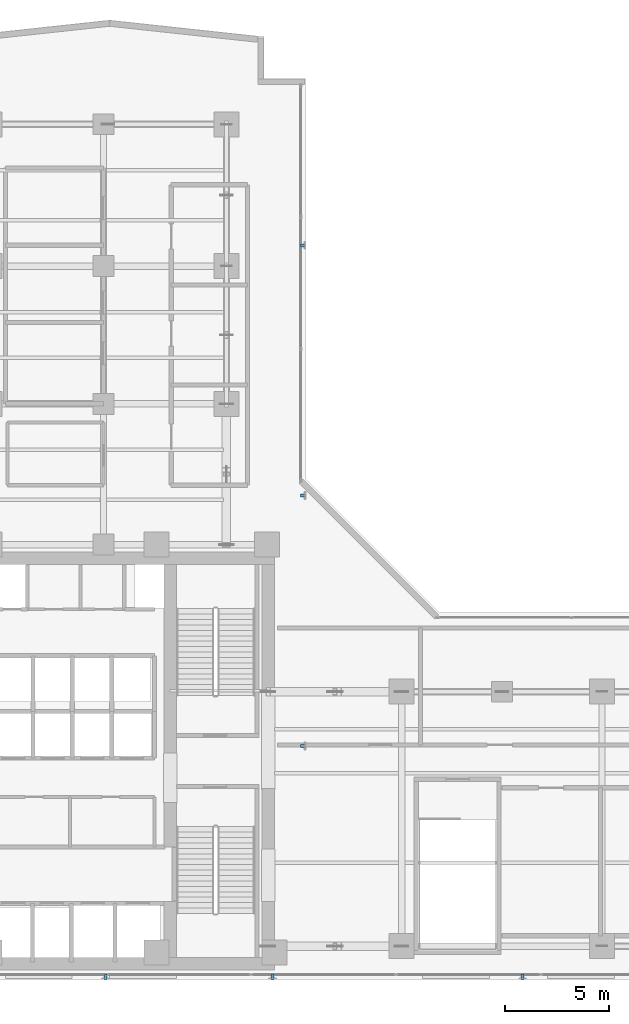
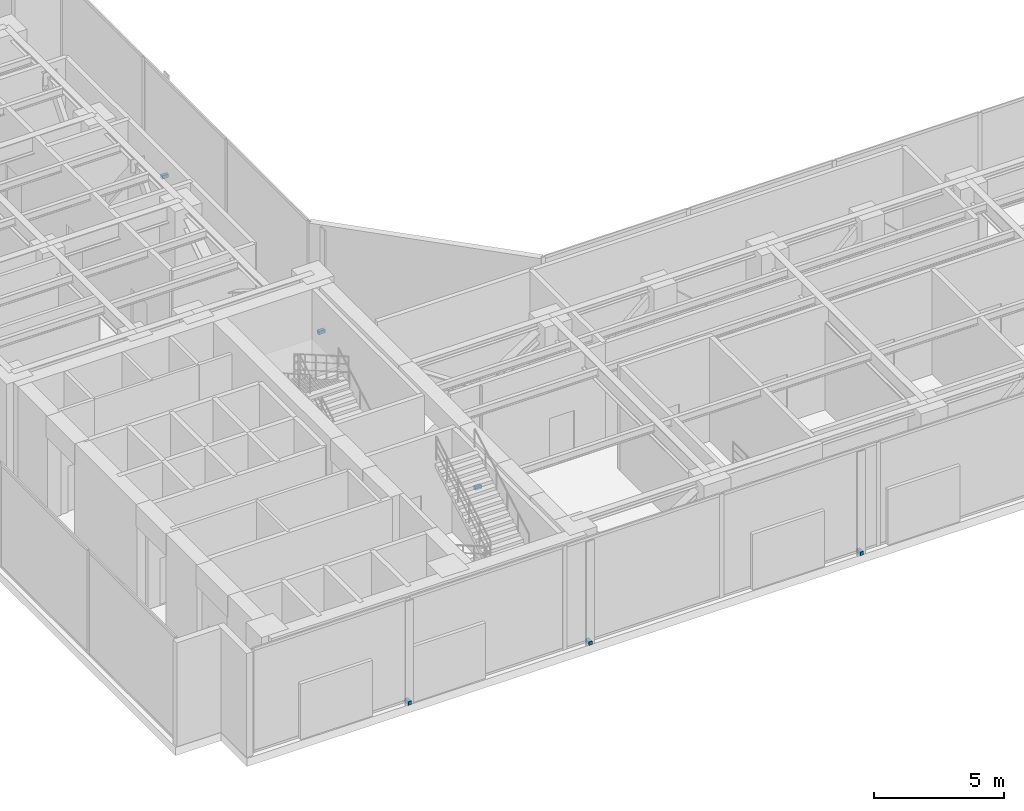
# One storey, part 33 of 36: 6 discrete accessories.
"""IFC4 building model written with IfcOpenShell, lengths in metres."""

from ifc_helpers import new_model, si_unit, direction, frame, origin, origin_with_axes, origin_2d, place, context, subcontext, project, spatial, rectangle, extrude, source, transform, mapped, material, type_object, element, save


model = new_model("IFC4")

# Units and contexts
model_context = context("Model", 3, precision=1e-05, world=origin(), true_north=direction((0.0, 1.0)))
body_context = subcontext(model_context, "Body", "Model", "MODEL_VIEW")
ifc_project = project(units=[si_unit("LENGTHUNIT", "METRE"), si_unit("AREAUNIT", "SQUARE_METRE"), si_unit("VOLUMEUNIT", "CUBIC_METRE"), si_unit("PLANEANGLEUNIT", "RADIAN"), si_unit("MASSUNIT", "GRAM", prefix="KILO")], contexts=[model_context])

# Site, building, storey
site_placement = place(None, origin())
site = spatial("IfcSite", under=ifc_project, at=site_placement, CompositionType="ELEMENT")
building_placement = place(site_placement, origin())
building = spatial("IfcBuilding", under=site, at=building_placement, Name="Kolvaren Waterfront Exchange", CompositionType="ELEMENT")
storey_placement = place(building_placement, frame((0.0, 0.0, 199.39990234375)))
storey = spatial("IfcBuildingStorey", under=building, at=storey_placement, Name="L51", CompositionType="ELEMENT", Elevation=199.39990234375)

# Discrete accessories
ifc_material = material(Name="Stainless steel 316", Category="steel")
discrete_accessory_type = type_object("IfcDiscreteAccessoryType", Name="ARC-BRK-FIN", PredefinedType="BRACKET", material=ifc_material)
shared_shape = source(origin_with_axes(), body_context, "Body", "SweptSolid", [
    extrude(rectangle(XDim=0.280029296875, YDim=0.139892578125, at=origin_2d()), origin(), (0.0, 0.0, 1.0), 0.159912109375),
])
for number, where, z_axis, x_axis, name in (
    (1, (13.0, 3.719970703125, 0.0), (0.0, 0.0, 1.0), (0.0, -1.0, 0.0), "L51 bronze fin anchor bracket FIN-L51-S1"),
    (2, (21.0, 3.719970703125, 0.0), (0.0, 0.0, 1.0), (0.0, -1.0, 0.0), "L51 bronze fin anchor bracket FIN-L51-S2"),
    (3, (33.0, 3.719970703125, 0.0), (0.0, 0.0, 1.0), (0.0, -1.0, 0.0), "L51 bronze fin anchor bracket FIN-L51-S3"),
    (4, (22.47998046875, 14.800048828125, 0.0), (0.0, 0.0, 1.0), (1.0, 0.0, 0.0), "L51 bronze fin anchor bracket FIN-L51-E1"),
    (5, (22.47998046875, 26.800048828125, 0.0), (0.0, 0.0, 1.0), (1.0, 0.0, 0.0), "L51 bronze fin anchor bracket FIN-L51-E2"),
    (6, (22.47998046875, 38.800048828125, 0.0), (0.0, 0.0, 1.0), (1.0, 0.0, 0.0), "L51 bronze fin anchor bracket FIN-L51-E3"),
):
    element("IfcDiscreteAccessory", number, at=place(storey_placement, frame(where, z_axis=z_axis, x_axis=x_axis)), inside=storey, type_object=discrete_accessory_type, Name=name, PredefinedType="BRACKET", context=body_context, shape_type="MappedRepresentation", body=[
        mapped(shared_shape, transform((0.0, 0.0, 0.0), x_axis=(1.0, 0.0, 0.0), y_axis=(0.0, 1.0, 0.0), z_axis=(0.0, 0.0, 1.0), scale=1.0)),
    ])

save(model, "model.ifc")
